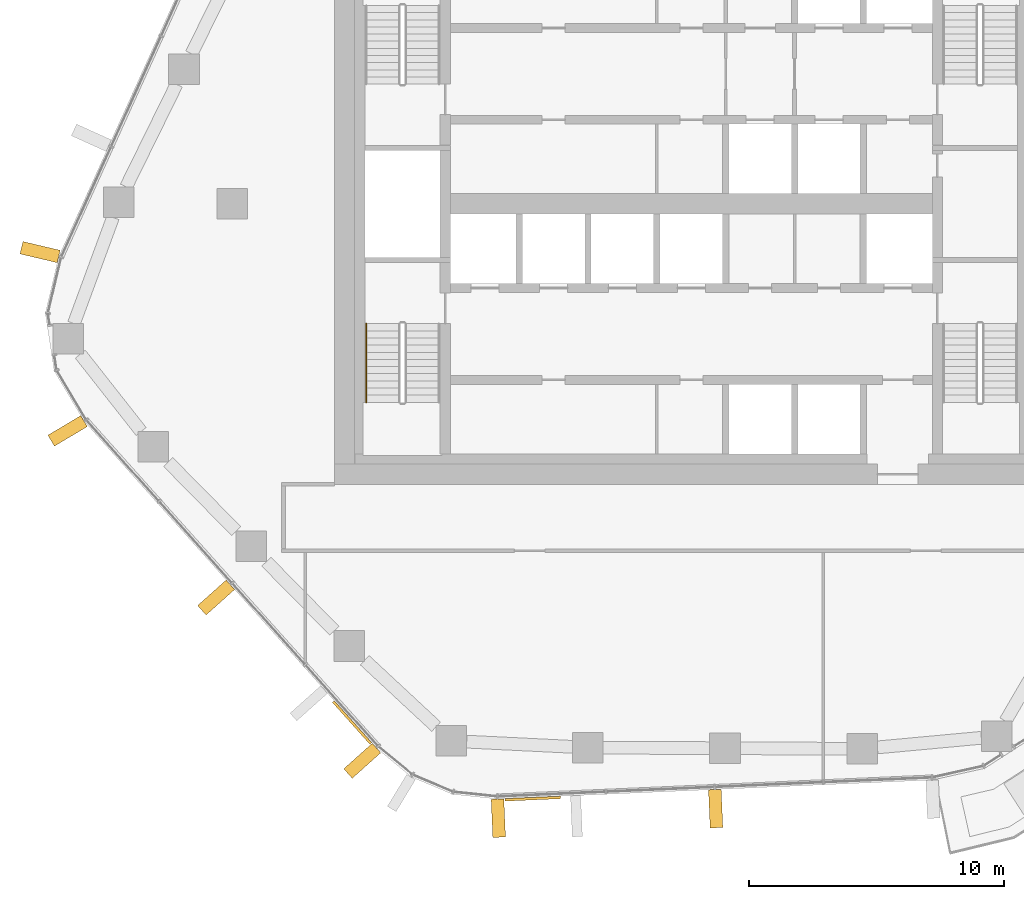
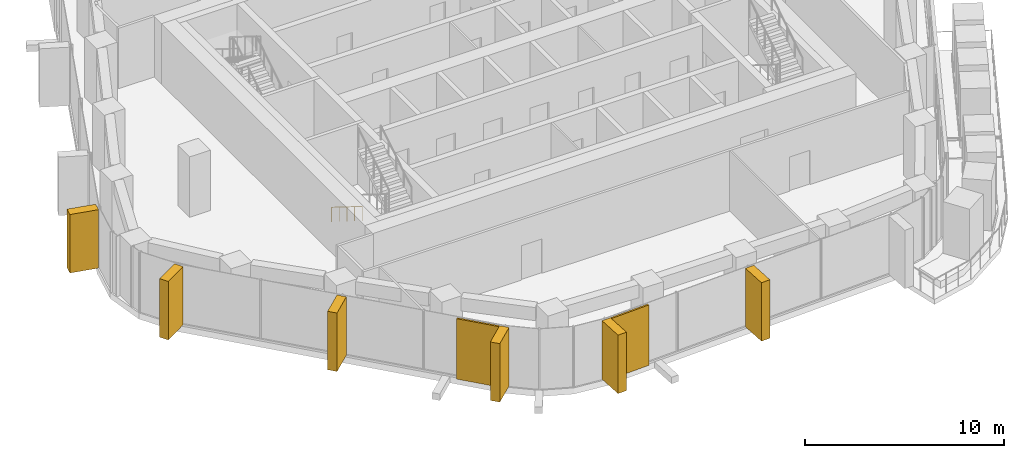
# One storey, part 14 of 17: 8 coverings, 1 railing, 4 elements without a shape of their own.
"""IFC4 building model written with IfcOpenShell, lengths in metres."""

from ifc_helpers import new_model, si_unit, direction, frame, origin, origin_2d, place, context, subcontext, project, spatial, rectangle, circle, extrude, material, layer, layer_set, material_profile, profile_set, type_object, element, aggregate, save


model = new_model("IFC4")

# Units and contexts
model_context = context("Model", 3, precision=1e-05, world=origin(), true_north=direction((0.0, 1.0)))
body_context = subcontext(model_context, "Body", "Model", "MODEL_VIEW")
ifc_project = project(units=[si_unit("LENGTHUNIT", "METRE"), si_unit("AREAUNIT", "SQUARE_METRE"), si_unit("VOLUMEUNIT", "CUBIC_METRE"), si_unit("PLANEANGLEUNIT", "RADIAN"), si_unit("MASSUNIT", "GRAM", prefix="KILO")], contexts=[model_context])

# Site, building, storey
site_placement = place(None, origin())
site = spatial("IfcSite", under=ifc_project, at=site_placement, CompositionType="ELEMENT")
building_placement = place(site_placement, origin())
building = spatial("IfcBuilding", under=site, at=building_placement, Name="Dongbaek Canopy Tower", CompositionType="ELEMENT")
storey_placement = place(building_placement, frame((0.0, 0.0, 179.60009765625)))
storey = spatial("IfcBuildingStorey", under=building, at=storey_placement, Name="L39", CompositionType="ELEMENT", Elevation=179.60009765625)

# Curtain wall, covering
ifc_material_1 = material(Name="Aluminium 6063-T6 pale anodised", Category="aluminium")
ifc_layer_1 = layer(ifc_material_1, 0.199951171875)
ifc_layer_set_1 = layer_set([ifc_layer_1], Name="CW-1 unitised tower curtain wall")
curtain_wall_type = type_object("IfcCurtainWallType", Name="CW-1 unitised tower curtain wall", PredefinedType="NOTDEFINED", material=ifc_layer_set_1)
curtain_wall_1_placement = place(storey_placement, origin())
curtain_wall_1 = element("IfcCurtainWall", 1, at=curtain_wall_1_placement, inside=storey, type_object=curtain_wall_type, Name="CW-1 curtain wall F3.1", PredefinedType="NOTDEFINED")
ifc_material_2 = material(Name="Perforated aluminium 6063-T6 pale metal screen", Category="aluminium")
ifc_layer_2 = layer(ifc_material_2, 0.10009765625)
ifc_layer_set_2 = layer_set([ifc_layer_2], Name="Facet screen FS1 100 pale metal")
covering_type_1 = type_object("IfcCoveringType", Name="Facet screen FS1 100 pale metal", PredefinedType="CLADDING", material=ifc_layer_set_2)
covering_1_placement = place(storey_placement, frame((-13.306884765625, -20.3388671875, 0.0), z_axis=(0.0, 0.0, 1.0), x_axis=(0.666829068512, -0.745210704021, 0.0)))
covering_1 = element("IfcCovering", 2, at=covering_1_placement, type_object=covering_type_1, Name="Facet screen L39 F3", PredefinedType="CLADDING", context=body_context, shape_type="SweptSolid", body=[
    extrude(rectangle(XDim=2.196533203125, YDim=0.10009765625, at=origin_2d()), origin(), (0.0, 0.0, 1.0), 3.699951171875),
])

curtain_wall_2_placement = place(storey_placement, origin())
curtain_wall_2 = element("IfcCurtainWall", 3, at=curtain_wall_2_placement, inside=storey, type_object=curtain_wall_type, Name="CW-1 curtain wall F4.1", PredefinedType="NOTDEFINED")
covering_2_placement = place(storey_placement, frame((-6.21826171875, -23.32666015625, 0.0), z_axis=(0.0, 0.0, 1.0), x_axis=(0.9990473078, 0.043640311373, 0.0)))
covering_2 = element("IfcCovering", 4, at=covering_2_placement, type_object=covering_type_1, Name="Facet screen L39 F4", PredefinedType="CLADDING", context=body_context, shape_type="SweptSolid", body=[
    extrude(rectangle(XDim=2.185302734375, YDim=0.10009765625, at=origin_2d()), origin(), (0.0, 0.0, 1.0), 3.699951171875),
])

curtain_wall_3_placement = place(storey_placement, origin())
curtain_wall_3 = element("IfcCurtainWall", 5, at=curtain_wall_3_placement, inside=storey, type_object=curtain_wall_type, Name="CW-1 curtain wall K3.1a", PredefinedType="NOTDEFINED")
ifc_material_3 = material(Name="Aluminium 6063-T6 pale metal fin", Category="aluminium")
ifc_material_profile = material_profile(ifc_material_3, rectangle(XDim=1.5, YDim=0.5, at=origin_2d()), Name="Fin FN1 500 x 1500 pale metal")
ifc_profile_set = profile_set([ifc_material_profile], Name="Aluminium 6063-T6 pale metal fin")
covering_type_2 = type_object("IfcCoveringType", Name="Fin FN1 500 x 1500 pale metal", PredefinedType="CLADDING", material=ifc_profile_set)
covering_3_placement = place(storey_placement, frame((-25.541259765625, -1.891357421875, 0.119873046875), z_axis=(0.0, 0.0, 1.0), x_axis=(-0.973142006285, 0.230205637646, 0.0)))
covering_3 = element("IfcCovering", 6, at=covering_3_placement, type_object=covering_type_2, Name="Fin K3.1a.1", PredefinedType="CLADDING", context=body_context, shape_type="SweptSolid", body=[
    extrude(rectangle(XDim=1.5, YDim=0.5, at=origin_2d()), origin(), (0.0, 0.0, 1.0), 3.580078125),
])
aggregate(curtain_wall_3, [covering_3])

curtain_wall_4_placement = place(storey_placement, origin())
curtain_wall_4 = element("IfcCurtainWall", 7, at=curtain_wall_4_placement, inside=storey, type_object=curtain_wall_type, Name="CW-1 curtain wall K3.1b", PredefinedType="NOTDEFINED")
covering_4_placement = place(storey_placement, frame((-24.462890625, -8.90380859375, 0.119873046875), z_axis=(0.0, 0.0, 1.0), x_axis=(-0.858991947801, -0.511989095209, 0.0)))
covering_4 = element("IfcCovering", 8, at=covering_4_placement, type_object=covering_type_2, Name="Fin K3.1b.3", PredefinedType="CLADDING", context=body_context, shape_type="SweptSolid", body=[
    extrude(rectangle(XDim=1.5, YDim=0.5, at=origin_2d()), origin(), (0.0, 0.0, 1.0), 3.580078125),
])
aggregate(curtain_wall_4, [covering_4])

# Covering
covering_5_placement = place(storey_placement, frame((-18.63671875, -15.438232421875, 0.119873046875), z_axis=(0.0, 0.0, 1.0), x_axis=(-0.745210570308, -0.666829217942, 0.0)))
covering_5 = element("IfcCovering", 9, at=covering_5_placement, type_object=covering_type_2, Name="Fin F3.1.3", PredefinedType="CLADDING", context=body_context, shape_type="SweptSolid", body=[
    extrude(rectangle(XDim=1.5, YDim=0.5, at=origin_2d()), origin(), (0.0, 0.0, 1.0), 3.580078125),
])

covering_6_placement = place(storey_placement, frame((-12.906005859375, -21.8427734375, 0.119873046875), z_axis=(0.0, 0.0, 1.0), x_axis=(-0.745210570308, -0.666829217942, 0.0)))
covering_6 = element("IfcCovering", 10, at=covering_6_placement, type_object=covering_type_2, Name="Fin F3.1.5", PredefinedType="CLADDING", context=body_context, shape_type="SweptSolid", body=[
    extrude(rectangle(XDim=1.5, YDim=0.5, at=origin_2d()), origin(), (0.0, 0.0, 1.0), 3.580078125),
])

aggregate(curtain_wall_1, [covering_5, covering_6, covering_1])

covering_7_placement = place(storey_placement, frame((-7.56884765625, -24.09033203125, 0.119873046875), z_axis=(0.0, 0.0, 1.0), x_axis=(0.043640187851, -0.999047313196, 0.0)))
covering_7 = element("IfcCovering", 11, at=covering_7_placement, type_object=covering_type_2, Name="Fin F4.1.1", PredefinedType="CLADDING", context=body_context, shape_type="SweptSolid", body=[
    extrude(rectangle(XDim=1.5, YDim=0.5, at=origin_2d()), origin(), (0.0, 0.0, 1.0), 3.580078125),
])

covering_8_placement = place(storey_placement, frame((0.95458984375, -23.718017578125, 0.119873046875), z_axis=(0.0, 0.0, 1.0), x_axis=(0.043640187851, -0.999047313196, 0.0)))
covering_8 = element("IfcCovering", 12, at=covering_8_placement, type_object=covering_type_2, Name="Fin F4.1.3", PredefinedType="CLADDING", context=body_context, shape_type="SweptSolid", body=[
    extrude(rectangle(XDim=1.5, YDim=0.5, at=origin_2d()), origin(), (0.0, 0.0, 1.0), 3.580078125),
])

aggregate(curtain_wall_2, [covering_7, covering_8, covering_2])

# Railing
ifc_material_4 = material(Name="Stainless steel tube", Category="steel")
railing_type = type_object("IfcRailingType", Name="Stair handrail 900", PredefinedType="HANDRAIL", material=ifc_material_4)
railing_placement = place(storey_placement, frame((-12.75, -4.699951171875, 0.1748046875)))
element("IfcRailing", 13, at=railing_placement, inside=storey, type_object=railing_type, Name="L39 ST-D stair handrail 1", PredefinedType="HANDRAIL", context=body_context, shape_type="SweptSolid", body=[
    extrude(circle(Radius=0.02392578125, at=origin_2d()), frame((0.0, 0.0, 0.8759765625), z_axis=(0.0, -0.847998304005, 0.529998940003), x_axis=(1.0, 0.0, 0.0)), (0.0, 0.0, 1.0), 3.632080078125),
    extrude(circle(Radius=0.02099609375, at=origin_2d()), origin(), (0.0, 0.0, 1.0), 0.851806640625),
    extrude(circle(Radius=0.02099609375, at=origin_2d()), frame((0.0, -0.77001953125, 0.481201171875)), (0.0, 0.0, 1.0), 0.851806640625),
    extrude(circle(Radius=0.02099609375, at=origin_2d()), frame((0.0, -1.5400390625, 0.96240234375)), (0.0, 0.0, 1.0), 0.851806640625),
    extrude(circle(Radius=0.02099609375, at=origin_2d()), frame((0.0, -2.31005859375, 1.44384765625)), (0.0, 0.0, 1.0), 0.851806640625),
    extrude(circle(Radius=0.02099609375, at=origin_2d()), frame((0.0, -3.080078125, 1.925048828125)), (0.0, 0.0, 1.0), 0.851806640625),
])

save(model, "model.ifc")
